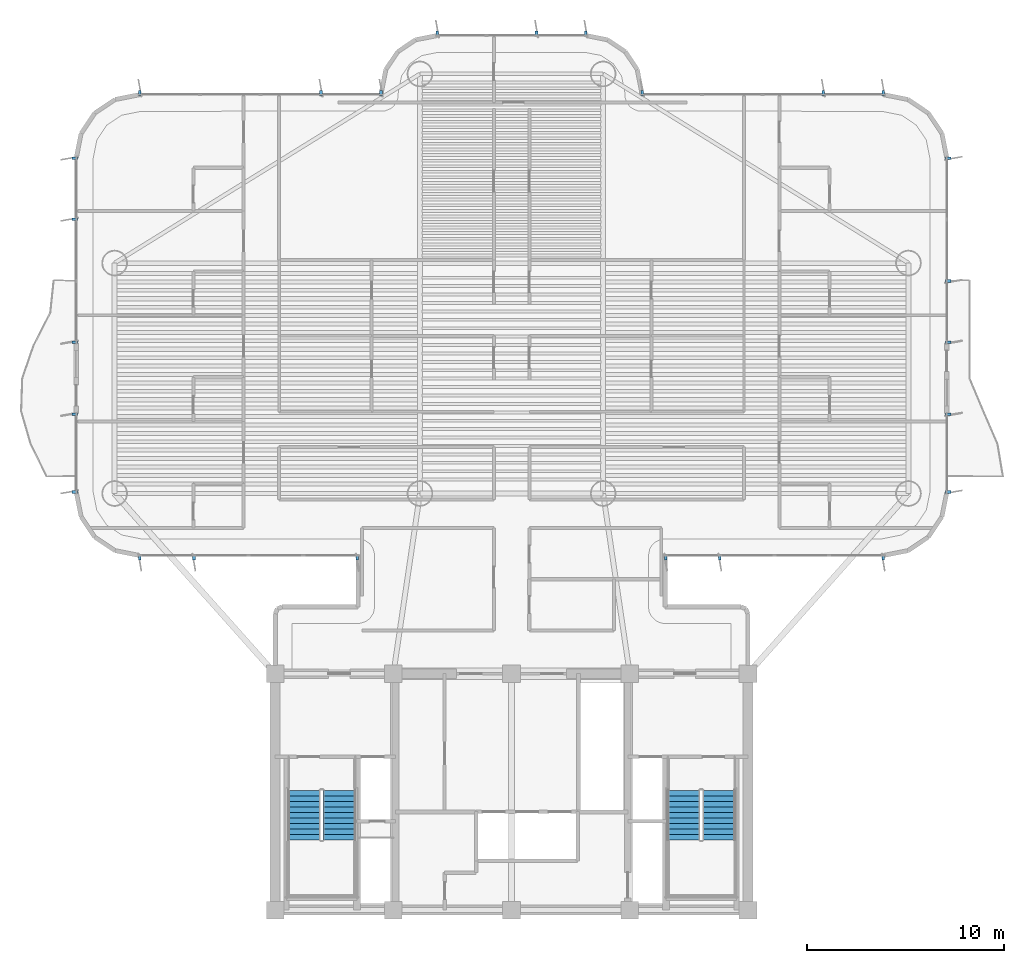
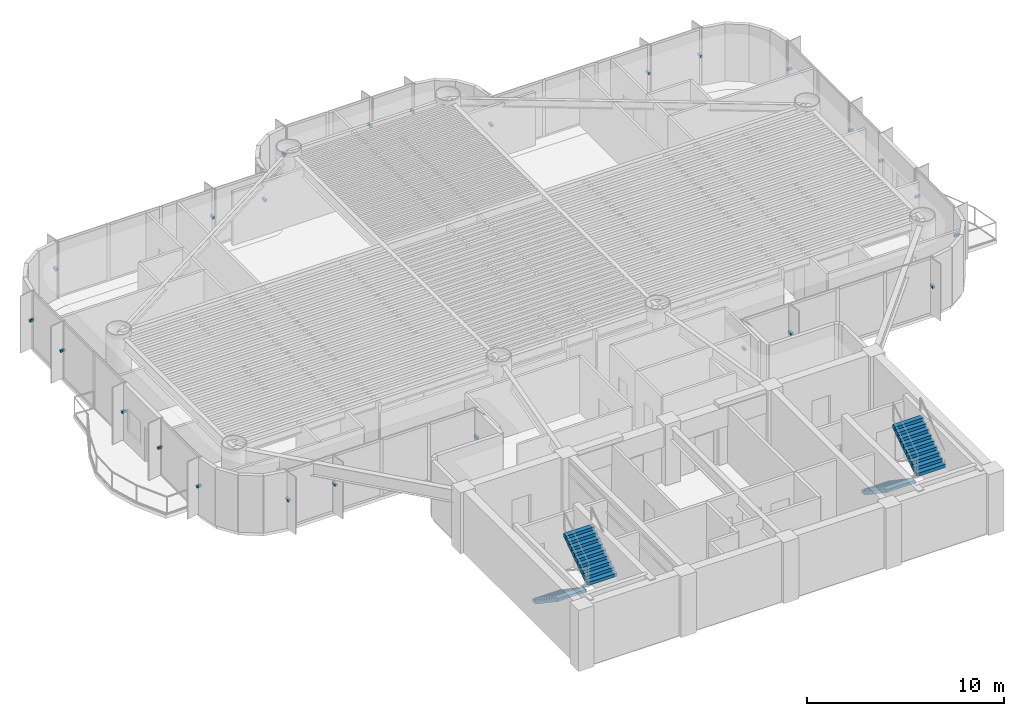
# One storey, part 13 of 17: 25 discrete accessories, 4 stair flights, 2 elements without a shape of their own.
"""IFC4 building model written with IfcOpenShell, lengths in metres."""

import ifcopenshell
import ifcopenshell.guid

model = None  # the IFC model being written
_history = None  # IfcOwnerHistory: only IFC2X3 demands one
_inside = {}  # id of a spatial element -> (the spatial element, [elements in it])
_under = {}  # id of a project, library or spatial element -> (it, [spatial elements below it])
_declared = {}  # id of a project -> (the project, [libraries it declares])
_typed = {}  # id of a type object -> (the type object, [elements of that type])
_made_of = {}  # id of a material, layer set ... -> (it, [elements and type objects made of it])


def new_model(schema):
    """Start an empty IFC model of exactly this schema.

    Asked for "IFC4X3", IfcOpenShell would pick the latest addendum, in which some entities
    have other attributes; the version numbers below select the first issue.
    IFC2X3 requires an IfcOwnerHistory on every rooted entity: one is made here for all.
    """
    global model, _history
    if schema == "IFC4X3":
        model = ifcopenshell.file(schema_version=(4, 3, 0, 0))
    else:
        model = ifcopenshell.file(schema=schema)
    _inside.clear()
    _under.clear()
    _declared.clear()
    _typed.clear()
    _made_of.clear()
    _history = None
    if model.schema == "IFC2X3":
        org = make("IfcOrganization", Name="unknown")
        user = make(
            "IfcPersonAndOrganization",
            ThePerson=make("IfcPerson", FamilyName="unknown"),
            TheOrganization=org,
        )
        app = make(
            "IfcApplication",
            ApplicationDeveloper=org,
            Version="unknown",
            ApplicationFullName="unknown",
            ApplicationIdentifier="unknown",
        )
        _history = make(
            "IfcOwnerHistory",
            OwningUser=user,
            OwningApplication=app,
            ChangeAction="ADDED",
            CreationDate=0,
        )
    return model


def make(cls, **values):
    """One entity of the class cls with the attributes given. An attribute that is None is left unset."""
    return model.create_entity(
        cls, **{name: value for name, value in values.items() if value is not None}
    )


def rooted(cls, **values):
    """An entity with a GlobalId (a new one), such as an element, a storey or a relation."""
    return make(cls, GlobalId=ifcopenshell.guid.new(), OwnerHistory=_history, **values)


def si_unit(unit_type, name, prefix=None):
    """IfcSIUnit, for example si_unit("LENGTHUNIT", "METRE", prefix="MILLI")."""
    return make("IfcSIUnit", UnitType=unit_type, Prefix=prefix, Name=name)


def assignment(units):
    """IfcUnitAssignment: the units of a project."""
    return None if units is None else make("IfcUnitAssignment", Units=units)


def point(xyz):
    """IfcCartesianPoint."""
    return None if xyz is None else make("IfcCartesianPoint", Coordinates=xyz)


def direction(xyz):
    """IfcDirection."""
    return None if xyz is None else make("IfcDirection", DirectionRatios=xyz)


def frame(location, z_axis=None, x_axis=None):
    """IfcAxis2Placement3D, a coordinate frame: its origin and axes. An axis left out is left unset."""
    return make(
        "IfcAxis2Placement3D",
        Location=point(location),
        Axis=direction(z_axis),
        RefDirection=direction(x_axis),
    )


def frame_2d(location, x_axis=None):
    """IfcAxis2Placement2D, a coordinate frame in the plane: its origin and x axis."""
    return make(
        "IfcAxis2Placement2D", Location=point(location), RefDirection=direction(x_axis)
    )


def origin():
    """The frame at (0, 0, 0) with its axes left unset."""
    return frame((0.0, 0.0, 0.0))


def origin_2d():
    """The frame at (0, 0) in the plane with its x axis left unset."""
    return frame_2d((0.0, 0.0))


def place(relative_to, where):
    """IfcLocalPlacement: puts the frame where relative to a parent placement (None: the world)."""
    return make(
        "IfcLocalPlacement", PlacementRelTo=relative_to, RelativePlacement=where
    )


def context(
    kind, dimensions, precision=None, world=None, true_north=None, identifier=None
):
    """IfcGeometricRepresentationContext, for example the 3D "Model" context."""
    return make(
        "IfcGeometricRepresentationContext",
        ContextIdentifier=identifier,
        ContextType=kind,
        CoordinateSpaceDimension=dimensions,
        Precision=precision,
        WorldCoordinateSystem=world,
        TrueNorth=true_north,
    )


def subcontext(parent, identifier, kind, view, scale=None):
    """IfcGeometricRepresentationSubContext, for example "Body" below "Model"."""
    return make(
        "IfcGeometricRepresentationSubContext",
        ContextIdentifier=identifier,
        ContextType=kind,
        ParentContext=parent,
        TargetScale=scale,
        TargetView=view,
    )


def project(units=None, contexts=None):
    """IfcProject with its units and contexts."""
    return rooted(
        "IfcProject",
        Name="project",
        RepresentationContexts=contexts,
        UnitsInContext=assignment(units),
    )


def spatial(cls, under=None, at=None, **own):
    """A site, building, storey or space (cls), placed at a placement, below another one or the project."""
    s = rooted(cls, ObjectPlacement=at, **own)
    if under is not None:
        _under.setdefault(under.id(), (under, []))[1].append(s)
    return s


def polyline(points):
    """IfcPolyline through the points."""
    return make("IfcPolyline", Points=[point(p) for p in points])


def profile(cls, at=None, kind="AREA", **sizes):
    """A parametric profile (cls). Its sizes go by their IFC names, for example OverallWidth=200.0."""
    return make(cls, ProfileType=kind, Position=at, **sizes)


def rectangle(**sizes):
    """IfcRectangleProfileDef."""
    return profile("IfcRectangleProfileDef", **sizes)


def outline(outer, holes=None, kind="AREA"):
    """IfcArbitraryClosedProfileDef: a profile drawn as a closed curve; with holes, ...WithVoids."""
    if holes is None:
        return make("IfcArbitraryClosedProfileDef", ProfileType=kind, OuterCurve=outer)
    return make(
        "IfcArbitraryProfileDefWithVoids",
        ProfileType=kind,
        OuterCurve=outer,
        InnerCurves=holes,
    )


def extrude(swept, where, along, depth):
    """IfcExtrudedAreaSolid: the profile swept, set in the frame where, extruded along a direction by depth."""
    return make(
        "IfcExtrudedAreaSolid",
        SweptArea=swept,
        Position=where,
        ExtrudedDirection=direction(along),
        Depth=depth,
    )


def shape(context_of_items, identifier, shape_type, items):
    """IfcShapeRepresentation: the items that make up one representation, for example the "Body"."""
    return make(
        "IfcShapeRepresentation",
        ContextOfItems=context_of_items,
        RepresentationIdentifier=identifier,
        RepresentationType=shape_type,
        Items=items,
    )


def source(mapping_origin, context_of_items, identifier, shape_type, items):
    """IfcRepresentationMap: a shape defined once, which mapped items show again and again."""
    return make(
        "IfcRepresentationMap",
        MappingOrigin=mapping_origin,
        MappedRepresentation=shape(context_of_items, identifier, shape_type, items),
    )


def transform(
    local_origin,
    x_axis=None,
    y_axis=None,
    z_axis=None,
    scale=None,
    scale2=None,
    scale3=None,
    uniform=True,
):
    """IfcCartesianTransformationOperator3D, or its non-uniform kind. x_axis, y_axis, z_axis: its Axis1, 2, 3."""
    if uniform:
        return make(
            "IfcCartesianTransformationOperator3D",
            Axis1=direction(x_axis),
            Axis2=direction(y_axis),
            LocalOrigin=point(local_origin),
            Scale=scale,
            Axis3=direction(z_axis),
        )
    return make(
        "IfcCartesianTransformationOperator3DnonUniform",
        Axis1=direction(x_axis),
        Axis2=direction(y_axis),
        LocalOrigin=point(local_origin),
        Scale=scale,
        Axis3=direction(z_axis),
        Scale2=scale2,
        Scale3=scale3,
    )


def mapped(mapping_source, mapping_target):
    """IfcMappedItem: shows the shape of a source again, moved by a transform."""
    return make(
        "IfcMappedItem", MappingSource=mapping_source, MappingTarget=mapping_target
    )


def material(Name=None, Category=None):
    """IfcMaterial."""
    return make("IfcMaterial", Name=Name, Category=Category)


def made_of(thing, what):
    """Note that an element or type object is made of a material, layer set ...; save() writes the relation."""
    if what is not None:
        _made_of.setdefault(what.id(), (what, []))[1].append(thing)
    return thing


def type_object(cls, material=None, **own):
    """A type object (cls), such as IfcWallType, which elements share."""
    return made_of(rooted(cls, **own), material)


def element(
    cls,
    number,
    at=None,
    inside=None,
    cuts=None,
    type_object=None,
    material=None,
    context=None,
    identifier="Body",
    shape_type=None,
    held_by="IfcProductDefinitionShape",
    body=None,
    shapes=None,
    **own,
):
    """One element of the class cls, such as IfcWall. Its Tag is "e" and its number.

    at: its placement. inside: the storey or other place that contains it. cuts: it is an
    opening in that element (IfcRelVoidsElement). A single representation is given by context,
    identifier, shape_type and body (its items); several are given by shapes. held_by: the class
    of the entity that holds the representations. save() writes the other relations.
    """
    e = rooted(cls, Tag="e%d" % number, ObjectPlacement=at, **own)
    if body is not None:
        shapes = [shape(context, identifier, shape_type, body)]
    if shapes is not None:
        e.Representation = make(held_by, Representations=shapes)
    if inside is not None:
        _inside.setdefault(inside.id(), (inside, []))[1].append(e)
    if cuts is not None:
        rooted(
            "IfcRelVoidsElement", RelatingBuildingElement=cuts, RelatedOpeningElement=e
        )
    if type_object is not None:
        _typed.setdefault(type_object.id(), (type_object, []))[1].append(e)
    return made_of(e, material)


def aggregate(whole, parts):
    """IfcRelAggregates: a whole, such as a stair, and the parts it consists of."""
    return rooted("IfcRelAggregates", RelatingObject=whole, RelatedObjects=parts)


def save(model, path):
    """Write the relations noted so far, then the file.

    IfcRelAggregates (storeys below a building ...), IfcRelContainedInSpatialStructure (elements
    in a storey), IfcRelDefinesByType, IfcRelAssociatesMaterial and IfcRelDeclares: one each for
    every whole, place, type object, material and project.
    """
    for whole, parts in _under.values():
        aggregate(whole, parts)
    for where, things in _inside.values():
        rooted(
            "IfcRelContainedInSpatialStructure",
            RelatedElements=things,
            RelatingStructure=where,
        )
    for kind, things in _typed.values():
        rooted("IfcRelDefinesByType", RelatedObjects=things, RelatingType=kind)
    for what, things in _made_of.values():
        rooted("IfcRelAssociatesMaterial", RelatedObjects=things, RelatingMaterial=what)
    for by, libraries in _declared.values():
        rooted("IfcRelDeclares", RelatingContext=by, RelatedDefinitions=libraries)
    model.write(path)


model = new_model("IFC4")

# Units and contexts
model_context = context("Model", 3, precision=1e-05, world=origin(), true_north=direction((0.0, 1.0)))
body_context = subcontext(model_context, "Body", "Model", "MODEL_VIEW")
ifc_project = project(units=[si_unit("LENGTHUNIT", "METRE"), si_unit("AREAUNIT", "SQUARE_METRE"), si_unit("VOLUMEUNIT", "CUBIC_METRE"), si_unit("PLANEANGLEUNIT", "RADIAN"), si_unit("MASSUNIT", "GRAM", prefix="KILO")], contexts=[model_context])

# Site, building, storey
site_placement = place(None, origin())
site = spatial("IfcSite", under=ifc_project, at=site_placement, CompositionType="ELEMENT")
building_placement = place(site_placement, origin())
building = spatial("IfcBuilding", under=site, at=building_placement, Name="Brelvock Crest Care Tower", CompositionType="ELEMENT")
storey_placement = place(building_placement, frame((0.0, 0.0, 127.6201171875)))
storey = spatial("IfcBuildingStorey", under=building, at=storey_placement, Name="L32", CompositionType="ELEMENT", Elevation=127.6201171875)

# Stair, stair flights
ifc_material_1 = material(Name="Concrete N40 (40 MPa)", Category="concrete")
stair_type = type_object("IfcStairType", Name="ST-CORE1", PredefinedType="HALF_TURN_STAIR", material=ifc_material_1)
stair_1_placement = place(storey_placement, origin())
stair_1 = element("IfcStair", 1, at=stair_1_placement, inside=storey, type_object=stair_type, Name="L32 Fire-Isolated Core Stair ST-1", PredefinedType="HALF_TURN_STAIR")
stair_flight_type = type_object("IfcStairFlightType", Name="STF-1", PredefinedType="STRAIGHT", material=ifc_material_1)
stair_flight_1_placement = place(storey_placement, frame((25.469970703125, 12.080078125, 0.0), z_axis=(0.0, 0.0, 1.0), x_axis=(0.0, -1.0, 0.0)))
stair_flight_1 = element("IfcStairFlight", 2, at=stair_flight_1_placement, type_object=stair_flight_type, Name="ST-1 flight 1", NumberOfRisers=10, NumberOfTreads=9, PredefinedType="STRAIGHT", RiserHeight=0.189, TreadLength=0.28, context=body_context, shape_type="SweptSolid", body=[
    extrude(outline(polyline([(-0.00390625, -0.014892578125), (-0.00390625, -0.0078125), (-0.00390625, -0.00048828125), (-0.00390625, 0.0068359375), (-0.00390625, 0.01416015625), (-0.00390625, 0.021484375), (-0.00390625, 0.02880859375), (-0.00390625, 0.035888671875), (-0.00390625, 0.043212890625), (-0.00390625, 0.050537109375), (-0.00390625, 0.057861328125), (-0.00390625, 0.065185546875), (-0.00390625, 0.072509765625), (-0.00390625, 0.07958984375), (-0.00390625, 0.0869140625), (-0.00390625, 0.09423828125), (-0.00390625, 0.1015625), (-0.00390625, 0.10888671875), (-0.00390625, 0.1162109375), (-0.00390625, 0.12353515625), (-0.00390625, 0.130615234375), (-0.00390625, 0.137939453125), (-0.00390625, 0.145263671875), (-0.00390625, 0.152587890625), (-0.00390625, 0.159912109375), (-0.00390625, 0.167236328125), (-0.00390625, 0.17431640625), (-0.00390625, 0.181640625), (-0.00390625, 0.18896484375), (0.0, 0.18896484375), (0.280029296875, 0.18896484375), (0.280029296875, 0.3779296875), (0.56005859375, 0.3779296875), (0.56005859375, 0.56689453125), (0.840087890625, 0.56689453125), (0.840087890625, 0.756103515625), (1.1201171875, 0.756103515625), (1.1201171875, 0.945068359375), (1.39990234375, 0.945068359375), (1.39990234375, 1.134033203125), (1.679931640625, 1.134033203125), (1.679931640625, 1.322998046875), (1.9599609375, 1.322998046875), (1.9599609375, 1.511962890625), (2.239990234375, 1.511962890625), (2.239990234375, 1.700927734375), (2.52001953125, 1.700927734375), (2.52392578125, 1.700927734375), (2.523681640625, 1.70068359375), (2.52392578125, 1.700439453125), (2.523681640625, 1.699951171875), (2.52392578125, 1.69970703125), (2.523681640625, 1.699462890625), (2.52392578125, 1.698974609375), (2.523681640625, 1.69873046875), (2.52392578125, 1.698486328125), (2.523681640625, 1.697998046875), (2.52392578125, 1.69775390625), (2.523681640625, 1.697509765625), (2.52392578125, 1.697021484375), (2.523681640625, 1.69677734375), (2.52392578125, 1.696533203125), (2.523681640625, 1.6962890625), (2.52392578125, 1.69580078125), (2.523681640625, 1.695556640625), (2.52392578125, 1.6953125), (2.523681640625, 1.69482421875), (2.52392578125, 1.694580078125), (2.523681640625, 1.6943359375), (2.52392578125, 1.69384765625), (2.523681640625, 1.693603515625), (2.52392578125, 1.693359375), (2.523681640625, 1.69287109375), (2.52392578125, 1.692626953125), (2.523681640625, 1.6923828125), (2.52392578125, 1.69189453125), (2.52001953125, 1.520263671875), (0.267822265625, 0.0), (0.0, 0.0), (0.0, -0.014892578125), (-0.00390625, -0.014892578125)])), frame((0.0, 0.83984375, 0.0), z_axis=(0.0, -1.0, 0.0), x_axis=(1.0, 0.0, 0.0)), (0.0, 0.0, 1.0), 1.679931640625),
])
stair_flight_2_placement = place(storey_placement, frame((27.27001953125, 9.56005859375, 1.889892578125), z_axis=(0.0, 0.0, 1.0), x_axis=(0.0, 1.0, 0.0)))
stair_flight_2 = element("IfcStairFlight", 3, at=stair_flight_2_placement, type_object=stair_flight_type, Name="ST-1 flight 2", NumberOfRisers=10, NumberOfTreads=9, PredefinedType="STRAIGHT", RiserHeight=0.189, TreadLength=0.28, context=body_context, shape_type="SweptSolid", body=[
    extrude(outline(polyline([(-0.00390625, -0.014892578125), (-0.00390625, -0.0078125), (-0.00390625, -0.00048828125), (-0.00390625, 0.0068359375), (-0.00390625, 0.01416015625), (-0.00390625, 0.021484375), (-0.00390625, 0.02880859375), (-0.00390625, 0.035888671875), (-0.00390625, 0.043212890625), (-0.00390625, 0.050537109375), (-0.00390625, 0.057861328125), (-0.00390625, 0.065185546875), (-0.00390625, 0.072509765625), (-0.00390625, 0.07958984375), (-0.00390625, 0.0869140625), (-0.00390625, 0.09423828125), (-0.00390625, 0.1015625), (-0.00390625, 0.10888671875), (-0.00390625, 0.1162109375), (-0.00390625, 0.12353515625), (-0.00390625, 0.130615234375), (-0.00390625, 0.137939453125), (-0.00390625, 0.145263671875), (-0.00390625, 0.152587890625), (-0.00390625, 0.159912109375), (-0.00390625, 0.167236328125), (-0.00390625, 0.17431640625), (-0.00390625, 0.181640625), (-0.00390625, 0.18896484375), (0.0, 0.18896484375), (0.280029296875, 0.18896484375), (0.280029296875, 0.3779296875), (0.56005859375, 0.3779296875), (0.56005859375, 0.56689453125), (0.840087890625, 0.56689453125), (0.840087890625, 0.756103515625), (1.1201171875, 0.756103515625), (1.1201171875, 0.945068359375), (1.39990234375, 0.945068359375), (1.39990234375, 1.134033203125), (1.679931640625, 1.134033203125), (1.679931640625, 1.322998046875), (1.9599609375, 1.322998046875), (1.9599609375, 1.511962890625), (2.239990234375, 1.511962890625), (2.239990234375, 1.700927734375), (2.52001953125, 1.700927734375), (2.52392578125, 1.700927734375), (2.523681640625, 1.70068359375), (2.52392578125, 1.700439453125), (2.523681640625, 1.699951171875), (2.52392578125, 1.69970703125), (2.523681640625, 1.699462890625), (2.52392578125, 1.698974609375), (2.523681640625, 1.69873046875), (2.52392578125, 1.698486328125), (2.523681640625, 1.697998046875), (2.52392578125, 1.69775390625), (2.523681640625, 1.697509765625), (2.52392578125, 1.697021484375), (2.523681640625, 1.69677734375), (2.52392578125, 1.696533203125), (2.523681640625, 1.6962890625), (2.52392578125, 1.69580078125), (2.523681640625, 1.695556640625), (2.52392578125, 1.6953125), (2.523681640625, 1.69482421875), (2.52392578125, 1.694580078125), (2.523681640625, 1.6943359375), (2.52392578125, 1.69384765625), (2.523681640625, 1.693603515625), (2.52392578125, 1.693359375), (2.523681640625, 1.69287109375), (2.52392578125, 1.692626953125), (2.523681640625, 1.6923828125), (2.52392578125, 1.69189453125), (2.52001953125, 1.520263671875), (0.267822265625, 0.0), (0.0, 0.0), (0.0, -0.014892578125), (-0.00390625, -0.014892578125)])), frame((0.0, 0.83984375, 0.0), z_axis=(0.0, -1.0, 0.0), x_axis=(1.0, 0.0, 0.0)), (0.0, 0.0, 1.0), 1.679931640625),
])
aggregate(stair_1, [stair_flight_1, stair_flight_2])

stair_2_placement = place(storey_placement, origin())
stair_2 = element("IfcStair", 4, at=stair_2_placement, inside=storey, type_object=stair_type, Name="L32 Fire-Isolated Core Stair ST-2", PredefinedType="HALF_TURN_STAIR")
stair_flight_3_placement = place(storey_placement, frame((44.72998046875, 12.080078125, 0.0), z_axis=(0.0, 0.0, 1.0), x_axis=(0.0, -1.0, 0.0)))
stair_flight_3 = element("IfcStairFlight", 5, at=stair_flight_3_placement, type_object=stair_flight_type, Name="ST-2 flight 1", NumberOfRisers=10, NumberOfTreads=9, PredefinedType="STRAIGHT", RiserHeight=0.189, TreadLength=0.28, context=body_context, shape_type="SweptSolid", body=[
    extrude(outline(polyline([(-0.00390625, -0.014892578125), (-0.00390625, -0.0078125), (-0.00390625, -0.00048828125), (-0.00390625, 0.0068359375), (-0.00390625, 0.01416015625), (-0.00390625, 0.021484375), (-0.00390625, 0.02880859375), (-0.00390625, 0.035888671875), (-0.00390625, 0.043212890625), (-0.00390625, 0.050537109375), (-0.00390625, 0.057861328125), (-0.00390625, 0.065185546875), (-0.00390625, 0.072509765625), (-0.00390625, 0.07958984375), (-0.00390625, 0.0869140625), (-0.00390625, 0.09423828125), (-0.00390625, 0.1015625), (-0.00390625, 0.10888671875), (-0.00390625, 0.1162109375), (-0.00390625, 0.12353515625), (-0.00390625, 0.130615234375), (-0.00390625, 0.137939453125), (-0.00390625, 0.145263671875), (-0.00390625, 0.152587890625), (-0.00390625, 0.159912109375), (-0.00390625, 0.167236328125), (-0.00390625, 0.17431640625), (-0.00390625, 0.181640625), (-0.00390625, 0.18896484375), (0.0, 0.18896484375), (0.280029296875, 0.18896484375), (0.280029296875, 0.3779296875), (0.56005859375, 0.3779296875), (0.56005859375, 0.56689453125), (0.840087890625, 0.56689453125), (0.840087890625, 0.756103515625), (1.1201171875, 0.756103515625), (1.1201171875, 0.945068359375), (1.39990234375, 0.945068359375), (1.39990234375, 1.134033203125), (1.679931640625, 1.134033203125), (1.679931640625, 1.322998046875), (1.9599609375, 1.322998046875), (1.9599609375, 1.511962890625), (2.239990234375, 1.511962890625), (2.239990234375, 1.700927734375), (2.52001953125, 1.700927734375), (2.52392578125, 1.700927734375), (2.523681640625, 1.70068359375), (2.52392578125, 1.700439453125), (2.523681640625, 1.699951171875), (2.52392578125, 1.69970703125), (2.523681640625, 1.699462890625), (2.52392578125, 1.698974609375), (2.523681640625, 1.69873046875), (2.52392578125, 1.698486328125), (2.523681640625, 1.697998046875), (2.52392578125, 1.69775390625), (2.523681640625, 1.697509765625), (2.52392578125, 1.697021484375), (2.523681640625, 1.69677734375), (2.52392578125, 1.696533203125), (2.523681640625, 1.6962890625), (2.52392578125, 1.69580078125), (2.523681640625, 1.695556640625), (2.52392578125, 1.6953125), (2.523681640625, 1.69482421875), (2.52392578125, 1.694580078125), (2.523681640625, 1.6943359375), (2.52392578125, 1.69384765625), (2.523681640625, 1.693603515625), (2.52392578125, 1.693359375), (2.523681640625, 1.69287109375), (2.52392578125, 1.692626953125), (2.523681640625, 1.6923828125), (2.52392578125, 1.69189453125), (2.52001953125, 1.520263671875), (0.267822265625, 0.0), (0.0, 0.0), (0.0, -0.014892578125), (-0.00390625, -0.014892578125)])), frame((0.0, 0.83984375, 0.0), z_axis=(0.0, -1.0, 0.0), x_axis=(1.0, 0.0, 0.0)), (0.0, 0.0, 1.0), 1.679931640625),
])
stair_flight_4_placement = place(storey_placement, frame((46.530029296875, 9.56005859375, 1.889892578125), z_axis=(0.0, 0.0, 1.0), x_axis=(0.0, 1.0, 0.0)))
stair_flight_4 = element("IfcStairFlight", 6, at=stair_flight_4_placement, type_object=stair_flight_type, Name="ST-2 flight 2", NumberOfRisers=10, NumberOfTreads=9, PredefinedType="STRAIGHT", RiserHeight=0.189, TreadLength=0.28, context=body_context, shape_type="SweptSolid", body=[
    extrude(outline(polyline([(-0.00390625, -0.014892578125), (-0.00390625, -0.0078125), (-0.00390625, -0.00048828125), (-0.00390625, 0.0068359375), (-0.00390625, 0.01416015625), (-0.00390625, 0.021484375), (-0.00390625, 0.02880859375), (-0.00390625, 0.035888671875), (-0.00390625, 0.043212890625), (-0.00390625, 0.050537109375), (-0.00390625, 0.057861328125), (-0.00390625, 0.065185546875), (-0.00390625, 0.072509765625), (-0.00390625, 0.07958984375), (-0.00390625, 0.0869140625), (-0.00390625, 0.09423828125), (-0.00390625, 0.1015625), (-0.00390625, 0.10888671875), (-0.00390625, 0.1162109375), (-0.00390625, 0.12353515625), (-0.00390625, 0.130615234375), (-0.00390625, 0.137939453125), (-0.00390625, 0.145263671875), (-0.00390625, 0.152587890625), (-0.00390625, 0.159912109375), (-0.00390625, 0.167236328125), (-0.00390625, 0.17431640625), (-0.00390625, 0.181640625), (-0.00390625, 0.18896484375), (0.0, 0.18896484375), (0.280029296875, 0.18896484375), (0.280029296875, 0.3779296875), (0.56005859375, 0.3779296875), (0.56005859375, 0.56689453125), (0.840087890625, 0.56689453125), (0.840087890625, 0.756103515625), (1.1201171875, 0.756103515625), (1.1201171875, 0.945068359375), (1.39990234375, 0.945068359375), (1.39990234375, 1.134033203125), (1.679931640625, 1.134033203125), (1.679931640625, 1.322998046875), (1.9599609375, 1.322998046875), (1.9599609375, 1.511962890625), (2.239990234375, 1.511962890625), (2.239990234375, 1.700927734375), (2.52001953125, 1.700927734375), (2.52392578125, 1.700927734375), (2.523681640625, 1.70068359375), (2.52392578125, 1.700439453125), (2.523681640625, 1.699951171875), (2.52392578125, 1.69970703125), (2.523681640625, 1.699462890625), (2.52392578125, 1.698974609375), (2.523681640625, 1.69873046875), (2.52392578125, 1.698486328125), (2.523681640625, 1.697998046875), (2.52392578125, 1.69775390625), (2.523681640625, 1.697509765625), (2.52392578125, 1.697021484375), (2.523681640625, 1.69677734375), (2.52392578125, 1.696533203125), (2.523681640625, 1.6962890625), (2.52392578125, 1.69580078125), (2.523681640625, 1.695556640625), (2.52392578125, 1.6953125), (2.523681640625, 1.69482421875), (2.52392578125, 1.694580078125), (2.523681640625, 1.6943359375), (2.52392578125, 1.69384765625), (2.523681640625, 1.693603515625), (2.52392578125, 1.693359375), (2.523681640625, 1.69287109375), (2.52392578125, 1.692626953125), (2.523681640625, 1.6923828125), (2.52392578125, 1.69189453125), (2.52001953125, 1.520263671875), (0.267822265625, 0.0), (0.0, 0.0), (0.0, -0.014892578125), (-0.00390625, -0.014892578125)])), frame((0.0, 0.83984375, 0.0), z_axis=(0.0, -1.0, 0.0), x_axis=(1.0, 0.0, 0.0)), (0.0, 0.0, 1.0), 1.679931640625),
])
aggregate(stair_2, [stair_flight_3, stair_flight_4])

# Discrete accessories
ifc_material_2 = material(Name="Steel Grade 350", Category="steel")
discrete_accessory_type = type_object("IfcDiscreteAccessoryType", Name="ACC-BRK1", PredefinedType="BRACKET", material=ifc_material_2)
shared_shape = source(origin(), body_context, "Body", "SweptSolid", [
    extrude(rectangle(XDim=0.280029296875, YDim=0.139892578125, at=origin_2d()), origin(), (0.0, 0.0, 1.0), 0.139892578125),
])
for number, where, z_axis, x_axis, name in (
    (7, (28.169921875, 23.919921875, 1.69482421875), (0.0, 0.0, 1.0), (0.0, -1.0, 0.0), "L32 Facade Fin Bracket E12-01"),
    (8, (19.875, 23.919921875, 1.69482421875), (0.0, 0.0, 1.0), (0.0, -1.0, 0.0), "L32 Facade Fin Bracket E12-04"),
    (9, (17.1298828125, 23.919921875, 1.69482421875), (0.0, 0.0, 1.0), (0.0, -1.0, 0.0), "L32 Facade Fin Bracket E12-05"),
    (10, (13.820068359375, 27.22998046875, 1.69482421875), (0.0, 0.0, 1.0), (-1.0, 0.0, 0.0), "L32 Facade Fin Bracket E17A-01"),
    (11, (13.820068359375, 31.169921875, 1.69482421875), (0.0, 0.0, 1.0), (-1.0, 0.0, 0.0), "L32 Facade Fin Bracket E17A-02"),
    (12, (13.820068359375, 34.830078125, 1.69482421875), (0.0, 0.0, 1.0), (-1.0, 0.0, 0.0), "L32 Facade Fin Bracket E17B-01"),
    (13, (13.820068359375, 41.066650390625, 1.69482421875), (0.0, 0.0, 1.0), (-1.0, 0.0, 0.0), "L32 Facade Fin Bracket E17B-03"),
    (14, (13.820068359375, 44.169921875, 1.69482421875), (0.0, 0.0, 1.0), (-1.0, 0.0, 0.0), "L32 Facade Fin Bracket E17B-04"),
    (15, (17.1298828125, 47.47998046875, 1.69482421875), (0.0, 0.0, 1.0), (0.0, 1.0, 0.0), "L32 Facade Fin Bracket E22-01"),
    (16, (26.324951171875, 47.47998046875, 1.69482421875), (0.0, 0.0, 1.0), (0.0, 1.0, 0.0), "L32 Facade Fin Bracket E22-04"),
    (17, (29.3701171875, 47.47998046875, 1.69482421875), (0.0, 0.0, 1.0), (0.0, 1.0, 0.0), "L32 Facade Fin Bracket E22-05"),
    (18, (32.22998046875, 50.47998046875, 1.69482421875), (0.0, 0.0, 1.0), (0.0, 1.0, 0.0), "L32 Facade Fin Bracket E28-01"),
    (19, (37.2666015625, 50.47998046875, 1.69482421875), (0.0, 0.0, 1.0), (0.0, 1.0, 0.0), "L32 Facade Fin Bracket E28-03"),
    (20, (39.77001953125, 50.47998046875, 1.69482421875), (0.0, 0.0, 1.0), (0.0, 1.0, 0.0), "L32 Facade Fin Bracket E28-04"),
    (21, (42.6298828125, 47.47998046875, 1.69482421875), (0.0, 0.0, 1.0), (0.0, 1.0, 0.0), "L32 Facade Fin Bracket E34-01"),
    (22, (51.824951171875, 47.47998046875, 1.69482421875), (0.0, 0.0, 1.0), (0.0, 1.0, 0.0), "L32 Facade Fin Bracket E34-04"),
    (23, (54.8701171875, 47.47998046875, 1.69482421875), (0.0, 0.0, 1.0), (0.0, 1.0, 0.0), "L32 Facade Fin Bracket E34-05"),
    (24, (58.179931640625, 44.169921875, 1.69482421875), (0.0, 0.0, 1.0), (1.0, 0.0, 0.0), "L32 Facade Fin Bracket E39A-01"),
    (25, (58.179931640625, 37.933349609375, 1.69482421875), (0.0, 0.0, 1.0), (1.0, 0.0, 0.0), "L32 Facade Fin Bracket E39A-03"),
    (26, (58.179931640625, 34.830078125, 1.69482421875), (0.0, 0.0, 1.0), (1.0, 0.0, 0.0), "L32 Facade Fin Bracket E39A-04"),
    (27, (58.179931640625, 31.169921875, 1.69482421875), (0.0, 0.0, 1.0), (1.0, 0.0, 0.0), "L32 Facade Fin Bracket E39B-01"),
    (28, (58.179931640625, 27.22998046875, 1.69482421875), (0.0, 0.0, 1.0), (1.0, 0.0, 0.0), "L32 Facade Fin Bracket E39B-02"),
    (29, (54.8701171875, 23.919921875, 1.69482421875), (0.0, 0.0, 1.0), (0.0, -1.0, 0.0), "L32 Facade Fin Bracket E44-01"),
    (30, (46.574951171875, 23.919921875, 1.69482421875), (0.0, 0.0, 1.0), (0.0, -1.0, 0.0), "L32 Facade Fin Bracket E44-04"),
    (31, (43.830078125, 23.919921875, 1.69482421875), (0.0, 0.0, 1.0), (0.0, -1.0, 0.0), "L32 Facade Fin Bracket E44-05"),
):
    element("IfcDiscreteAccessory", number, at=place(storey_placement, frame(where, z_axis=z_axis, x_axis=x_axis)), inside=storey, type_object=discrete_accessory_type, Name=name, PredefinedType="BRACKET", context=body_context, shape_type="MappedRepresentation", body=[
        mapped(shared_shape, transform((0.0, 0.0, 0.0), x_axis=(1.0, 0.0, 0.0), y_axis=(0.0, 1.0, 0.0), z_axis=(0.0, 0.0, 1.0), scale=1.0)),
    ])

save(model, "model.ifc")
